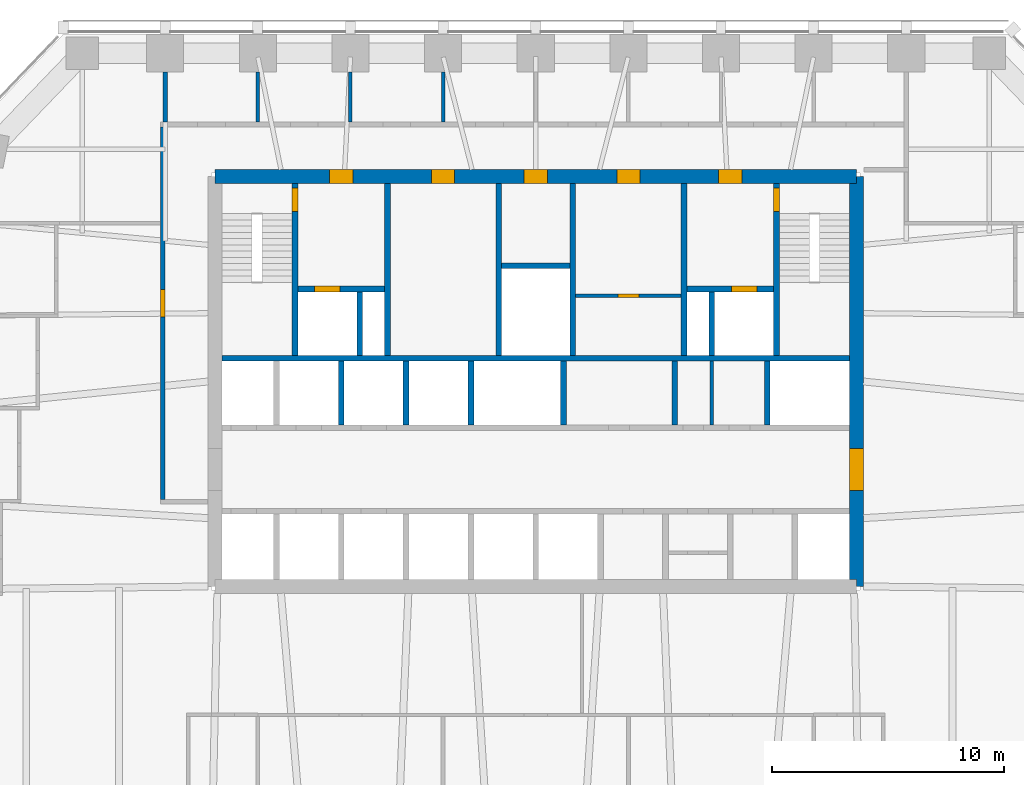
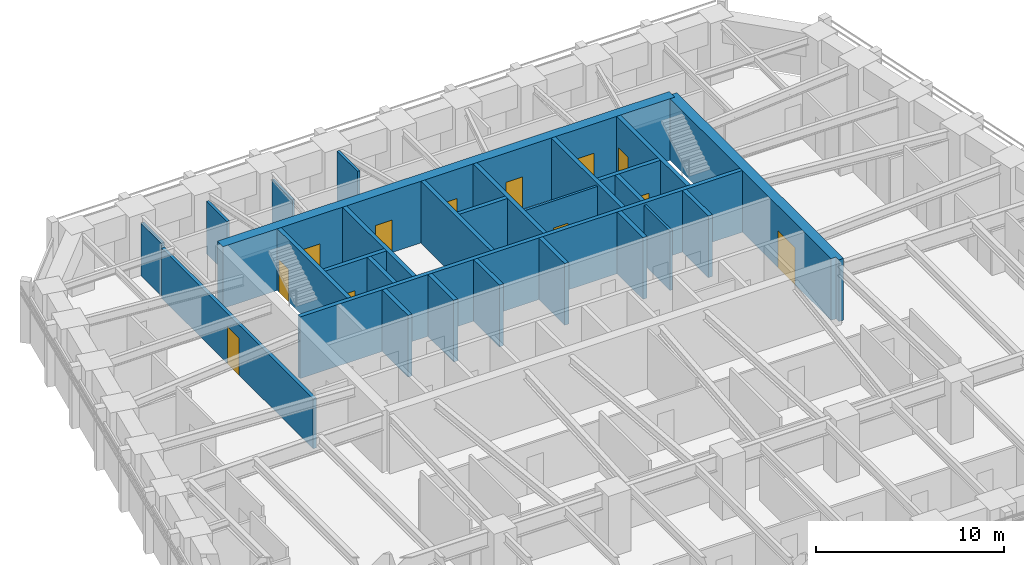
# One storey, part 8 of 11: 27 walls, 12 doors, 12 openings.
"""IFC4 building model written with IfcOpenShell, lengths in metres."""

from ifc_helpers import new_model, si_unit, direction, frame, frame_2d, origin, place, context, subcontext, project, spatial, polyline, rectangle, outline, extrude, material, layer, layer_set, type_object, element, fill, save


model = new_model("IFC4")

# Units and contexts
model_context = context("Model", 3, precision=1e-05, world=origin(), true_north=direction((0.0, 1.0)))
body_context = subcontext(model_context, "Body", "Model", "MODEL_VIEW")
ifc_project = project(units=[si_unit("LENGTHUNIT", "METRE"), si_unit("AREAUNIT", "SQUARE_METRE"), si_unit("VOLUMEUNIT", "CUBIC_METRE"), si_unit("PLANEANGLEUNIT", "RADIAN"), si_unit("MASSUNIT", "GRAM", prefix="KILO")], contexts=[model_context])

# Site, building, storey
site_placement = place(None, origin())
site = spatial("IfcSite", under=ifc_project, at=site_placement, CompositionType="ELEMENT")
building_placement = place(site_placement, origin())
building = spatial("IfcBuilding", under=site, at=building_placement, Name="Isbrekke Arena Tower", CompositionType="ELEMENT")
storey_placement = place(building_placement, frame((0.0, 0.0, 210.0)))
storey = spatial("IfcBuildingStorey", under=building, at=storey_placement, Name="L48", CompositionType="ELEMENT", Elevation=210.0)

# Wall, opening, door
ifc_material_1 = material(Name="Concrete B55 (C55/67)", Category="concrete")
ifc_layer_1 = layer(ifc_material_1, 0.60009765625)
ifc_layer_set_1 = layer_set([ifc_layer_1], Name="CW4 CORE WALL 600")
wall_type_1 = type_object("IfcWallType", Name="CW4 CORE WALL 600", PredefinedType="SHEAR", material=ifc_layer_set_1)
wall_1_placement = place(storey_placement, frame((13.85009765625, 6.14990234375, 0.0), z_axis=(0.0, 0.0, 1.0), x_axis=(0.0, 1.0, 0.0)))
wall_1 = element("IfcWall", 1, at=wall_1_placement, inside=storey, type_object=wall_type_1, Name="Core wall E L48", PredefinedType="SHEAR", context=body_context, shape_type="SweptSolid", body=[
    extrude(outline(polyline([(0.0, -0.300048828125), (17.7001953125, -0.300048828125), (17.7001953125, 0.0), (17.400146484375, 0.0), (17.400146484375, 0.300048828125), (0.300048828125, 0.300048828125), (0.300048828125, 0.0), (0.0, 0.0), (0.0, -0.300048828125)])), origin(), (0.0, 0.0, 1.0), 4.0),
])
opening_1_placement = place(wall_1_placement, frame((4.14990234375, 0.0, 0.0)))
opening_1 = element("IfcOpeningElement", 2, at=opening_1_placement, cuts=wall_1, Name="Opening D1", PredefinedType="OPENING", context=body_context, shape_type="SweptSolid", body=[
    extrude(rectangle(XDim=1.800048828125, YDim=2.39990234375, at=frame_2d((0.89990234375, 1.199951171875))), frame((0.0, 0.31494140625, 0.0), z_axis=(0.0, -1.0, 0.0), x_axis=(1.0, 0.0, 0.0)), (0.0, 0.0, 1.0), 0.6298828125),
])
ifc_material_2 = material(Name="Steel-framed glazed fire door", Category="steel")
door_type_1 = type_object("IfcDoorType", Name="D1 CORE LOBBY DOOR 1800 x 2400", OperationType="DOUBLE_DOOR_SINGLE_SWING", PredefinedType="DOOR", material=ifc_material_2)
door_1_placement = place(opening_1_placement, origin())
door_1 = element("IfcDoor", 3, at=door_1_placement, inside=storey, type_object=door_type_1, Name="D1 lift lobby door east L48", OperationType="DOUBLE_DOOR_SINGLE_SWING", OverallHeight=2.39990234375, OverallWidth=1.800048828125, PredefinedType="DOOR", context=body_context, shape_type="SweptSolid", body=[
    extrude(rectangle(XDim=1.800048828125, YDim=2.39990234375, at=frame_2d((0.89990234375, 1.199951171875))), frame((0.0, 0.2998046875, 0.0), z_axis=(0.0, -1.0, 0.0), x_axis=(1.0, 0.0, 0.0)), (0.0, 0.0, 1.0), 0.599609375),
])
fill(opening_1, door_1)

# Wall, openings, doors
wall_2_placement = place(storey_placement, frame((13.85009765625, 23.85009765625, 0.0), z_axis=(0.0, 0.0, 1.0), x_axis=(-1.0, 0.0, 0.0)))
wall_2 = element("IfcWall", 4, at=wall_2_placement, inside=storey, type_object=wall_type_1, Name="Core wall N L48", PredefinedType="SHEAR", context=body_context, shape_type="SweptSolid", body=[
    extrude(rectangle(XDim=27.7001953125, YDim=0.60009765625, at=frame_2d((13.85009765625, 0.0))), origin(), (0.0, 0.0, 1.0), 4.0),
])
opening_2_placement = place(wall_2_placement, frame((21.75, 0.0, 0.0)))
opening_2 = element("IfcOpeningElement", 5, at=opening_2_placement, cuts=wall_2, Name="Opening D3", PredefinedType="OPENING", context=body_context, shape_type="SweptSolid", body=[
    extrude(rectangle(XDim=1.0, YDim=2.10009765625, at=frame_2d((0.5, 1.050048828125))), frame((0.0, 0.31494140625, 0.0), z_axis=(0.0, -1.0, 0.0), x_axis=(1.0, 0.0, 0.0)), (0.0, 0.0, 1.0), 0.6298828125),
])
opening_3_placement = place(wall_2_placement, frame((4.949951171875, 0.0, 0.0)))
opening_3 = element("IfcOpeningElement", 6, at=opening_3_placement, cuts=wall_2, Name="Opening D3", PredefinedType="OPENING", context=body_context, shape_type="SweptSolid", body=[
    extrude(rectangle(XDim=1.0, YDim=2.10009765625, at=frame_2d((0.5, 1.050048828125))), frame((0.0, 0.31494140625, 0.0), z_axis=(0.0, -1.0, 0.0), x_axis=(1.0, 0.0, 0.0)), (0.0, 0.0, 1.0), 0.6298828125),
])
opening_4_placement = place(wall_2_placement, frame((17.35009765625, 0.0, 0.0)))
opening_4 = element("IfcOpeningElement", 7, at=opening_4_placement, cuts=wall_2, Name="Opening D4", PredefinedType="OPENING", context=body_context, shape_type="SweptSolid", body=[
    extrude(rectangle(XDim=1.0, YDim=2.10009765625, at=frame_2d((0.5, 1.050048828125))), frame((0.0, 0.31494140625, 0.0), z_axis=(0.0, -1.0, 0.0), x_axis=(1.0, 0.0, 0.0)), (0.0, 0.0, 1.0), 0.6298828125),
])
opening_5_placement = place(wall_2_placement, frame((13.35009765625, 0.0, 0.0)))
opening_5 = element("IfcOpeningElement", 8, at=opening_5_placement, cuts=wall_2, Name="Opening D4", PredefinedType="OPENING", context=body_context, shape_type="SweptSolid", body=[
    extrude(rectangle(XDim=1.0, YDim=2.10009765625, at=frame_2d((0.5, 1.050048828125))), frame((0.0, 0.31494140625, 0.0), z_axis=(0.0, -1.0, 0.0), x_axis=(1.0, 0.0, 0.0)), (0.0, 0.0, 1.0), 0.6298828125),
])
opening_6_placement = place(wall_2_placement, frame((9.35009765625, 0.0, 0.0)))
opening_6 = element("IfcOpeningElement", 9, at=opening_6_placement, cuts=wall_2, Name="Opening D4", PredefinedType="OPENING", context=body_context, shape_type="SweptSolid", body=[
    extrude(rectangle(XDim=1.0, YDim=2.10009765625, at=frame_2d((0.5, 1.050048828125))), frame((0.0, 0.31494140625, 0.0), z_axis=(0.0, -1.0, 0.0), x_axis=(1.0, 0.0, 0.0)), (0.0, 0.0, 1.0), 0.6298828125),
])
ifc_material_3 = material(Name="Steel fire door", Category="steel")
door_type_2 = type_object("IfcDoorType", Name="D3 FIRE LOBBY DOOR 1000 x 2100", OperationType="SINGLE_SWING_RIGHT", PredefinedType="DOOR", material=ifc_material_3)
door_2_placement = place(opening_2_placement, origin())
door_2 = element("IfcDoor", 10, at=door_2_placement, inside=storey, type_object=door_type_2, Name="D3 fire-fighting lobby door L48", OperationType="SINGLE_SWING_RIGHT", OverallHeight=2.10009765625, OverallWidth=1.0, PredefinedType="DOOR", context=body_context, shape_type="SweptSolid", body=[
    extrude(rectangle(XDim=1.0, YDim=2.10009765625, at=frame_2d((0.5, 1.050048828125))), frame((0.0, 0.2998046875, 0.0), z_axis=(0.0, -1.0, 0.0), x_axis=(1.0, 0.0, 0.0)), (0.0, 0.0, 1.0), 0.599609375),
])
fill(opening_2, door_2)
door_3_placement = place(opening_3_placement, origin())
door_3 = element("IfcDoor", 11, at=door_3_placement, inside=storey, type_object=door_type_2, Name="D3 fire-fighting lobby door L48", OperationType="SINGLE_SWING_RIGHT", OverallHeight=2.10009765625, OverallWidth=1.0, PredefinedType="DOOR", context=body_context, shape_type="SweptSolid", body=[
    extrude(rectangle(XDim=1.0, YDim=2.10009765625, at=frame_2d((0.5, 1.050048828125))), frame((0.0, 0.2998046875, 0.0), z_axis=(0.0, -1.0, 0.0), x_axis=(1.0, 0.0, 0.0)), (0.0, 0.0, 1.0), 0.599609375),
])
fill(opening_3, door_3)
ifc_material_4 = material(Name="Timber door", Category="wood")
door_type_3 = type_object("IfcDoorType", Name="D4 WC DOOR 1000 x 2100", OperationType="SINGLE_SWING_LEFT", PredefinedType="DOOR", material=ifc_material_4)
door_4_placement = place(opening_4_placement, origin())
door_4 = element("IfcDoor", 12, at=door_4_placement, inside=storey, type_object=door_type_3, Name="D4 wc female door L48", OperationType="SINGLE_SWING_LEFT", OverallHeight=2.10009765625, OverallWidth=1.0, PredefinedType="DOOR", context=body_context, shape_type="SweptSolid", body=[
    extrude(rectangle(XDim=1.0, YDim=2.10009765625, at=frame_2d((0.5, 1.050048828125))), frame((0.0, 0.2998046875, 0.0), z_axis=(0.0, -1.0, 0.0), x_axis=(1.0, 0.0, 0.0)), (0.0, 0.0, 1.0), 0.599609375),
])
fill(opening_4, door_4)
door_5_placement = place(opening_5_placement, origin())
door_5 = element("IfcDoor", 13, at=door_5_placement, inside=storey, type_object=door_type_3, Name="D4 accessible wc door L48", OperationType="SINGLE_SWING_LEFT", OverallHeight=2.10009765625, OverallWidth=1.0, PredefinedType="DOOR", context=body_context, shape_type="SweptSolid", body=[
    extrude(rectangle(XDim=1.0, YDim=2.10009765625, at=frame_2d((0.5, 1.050048828125))), frame((0.0, 0.2998046875, 0.0), z_axis=(0.0, -1.0, 0.0), x_axis=(1.0, 0.0, 0.0)), (0.0, 0.0, 1.0), 0.599609375),
])
fill(opening_5, door_5)
door_6_placement = place(opening_6_placement, origin())
door_6 = element("IfcDoor", 14, at=door_6_placement, inside=storey, type_object=door_type_3, Name="D4 wc male door L48", OperationType="SINGLE_SWING_LEFT", OverallHeight=2.10009765625, OverallWidth=1.0, PredefinedType="DOOR", context=body_context, shape_type="SweptSolid", body=[
    extrude(rectangle(XDim=1.0, YDim=2.10009765625, at=frame_2d((0.5, 1.050048828125))), frame((0.0, 0.2998046875, 0.0), z_axis=(0.0, -1.0, 0.0), x_axis=(1.0, 0.0, 0.0)), (0.0, 0.0, 1.0), 0.599609375),
])
fill(opening_6, door_6)

# Walls
ifc_material_5 = material(Name="Concrete B45 (C45/55)", Category="concrete")
ifc_layer_2 = layer(ifc_material_5, 0.25)
ifc_layer_set_2 = layer_set([ifc_layer_2], Name="CW6 SHAFT WALL 250")
wall_type_2 = type_object("IfcWallType", Name="CW6 SHAFT WALL 250", PredefinedType="SHEAR", material=ifc_layer_set_2)
wall_3_placement = place(storey_placement, frame((-13.550048828125, 16.0, 0.0), z_axis=(0.0, 0.0, 1.0), x_axis=(1.0, 0.0, 0.0)))
element("IfcWall", 15, at=wall_3_placement, inside=storey, type_object=wall_type_2, Name="Core wall NB L48", PredefinedType="SHEAR", context=body_context, shape_type="SweptSolid", body=[
    extrude(rectangle(XDim=27.10009765625, YDim=0.25, at=frame_2d((13.550048828125, 0.0))), origin(), (0.0, 0.0, 1.0), 4.0),
])
for number, where, z_axis, x_axis, name in (
    (16, (-8.39990234375, 13.125, 0.0), (0.0, 0.0, 1.0), (0.0, 1.0, 0.0), "Core wall SN02 L48"),
    (17, (-5.60009765625, 13.125, 0.0), (0.0, 0.0, 1.0), (0.0, 1.0, 0.0), "Core wall SN03 L48"),
    (18, (-2.800048828125, 13.125, 0.0), (0.0, 0.0, 1.0), (0.0, 1.0, 0.0), "Core wall SN04 L48"),
    (19, (1.199951171875, 13.125, 0.0), (0.0, 0.0, 1.0), (0.0, 1.0, 0.0), "Core wall SN05 L48"),
    (20, (6.0, 13.125, 0.0), (0.0, 0.0, 1.0), (0.0, 1.0, 0.0), "Core wall SN06 L48"),
    (21, (10.0, 13.125, 0.0), (0.0, 0.0, 1.0), (0.0, 1.0, 0.0), "Core wall SN07 L48"),
):
    element("IfcWall", number, at=place(storey_placement, frame(where, z_axis=z_axis, x_axis=x_axis)), inside=storey, type_object=wall_type_2, Name=name, PredefinedType="SHEAR", context=body_context, shape_type="SweptSolid", body=[
        extrude(rectangle(XDim=2.75, YDim=0.25, at=frame_2d((1.375, 0.0))), origin(), (0.0, 0.0, 1.0), 4.0),
    ])

# Wall, opening, door
wall_4_placement = place(storey_placement, frame((-10.39990234375, 16.125, 0.0), z_axis=(0.0, 0.0, 1.0), x_axis=(0.0, 1.0, 0.0)))
wall_4 = element("IfcWall", 22, at=wall_4_placement, inside=storey, type_object=wall_type_2, Name="Core wall NV01 L48", PredefinedType="SHEAR", context=body_context, shape_type="SweptSolid", body=[
    extrude(rectangle(XDim=7.425048828125, YDim=0.25, at=frame_2d((3.71240234375, 0.0))), origin(), (0.0, 0.0, 1.0), 4.0),
])
opening_7_placement = place(wall_4_placement, frame((6.22509765625, 0.0, 0.0)))
opening_7 = element("IfcOpeningElement", 23, at=opening_7_placement, cuts=wall_4, Name="Opening D2", PredefinedType="OPENING", context=body_context, shape_type="SweptSolid", body=[
    extrude(rectangle(XDim=1.0, YDim=2.10009765625, at=frame_2d((0.5, 1.050048828125))), frame((0.0, 0.139892578125, 0.0), z_axis=(0.0, -1.0, 0.0), x_axis=(1.0, 0.0, 0.0)), (0.0, 0.0, 1.0), 0.27978515625),
])
ifc_material_6 = material(Name="Steel fire door", Category="steel")
door_type_4 = type_object("IfcDoorType", Name="D2 STAIR DOOR 1000 x 2100", OperationType="SINGLE_SWING_LEFT", PredefinedType="DOOR", material=ifc_material_6)
door_7_placement = place(opening_7_placement, origin())
door_7 = element("IfcDoor", 24, at=door_7_placement, inside=storey, type_object=door_type_4, Name="D2 stair door ST1 L48", OperationType="SINGLE_SWING_LEFT", OverallHeight=2.10009765625, OverallWidth=1.0, PredefinedType="DOOR", context=body_context, shape_type="SweptSolid", body=[
    extrude(rectangle(XDim=1.0, YDim=2.10009765625, at=frame_2d((0.5, 1.050048828125))), frame((0.0, 0.124755859375, 0.0), z_axis=(0.0, -1.0, 0.0), x_axis=(1.0, 0.0, 0.0)), (0.0, 0.0, 1.0), 0.24951171875),
])
fill(opening_7, door_7)

# Walls
for number, where, z_axis, x_axis, name in (
    (25, (-6.39990234375, 16.125, 0.0), (0.0, 0.0, 1.0), (0.0, 1.0, 0.0), "Core wall NV02 L48"),
    (26, (-1.60009765625, 16.125, 0.0), (0.0, 0.0, 1.0), (0.0, 1.0, 0.0), "Core wall NV03 L48"),
    (27, (1.60009765625, 16.125, 0.0), (0.0, 0.0, 1.0), (0.0, 1.0, 0.0), "Core wall NV04 L48"),
    (28, (6.39990234375, 16.125, 0.0), (0.0, 0.0, 1.0), (0.0, 1.0, 0.0), "Core wall NV05 L48"),
):
    element("IfcWall", number, at=place(storey_placement, frame(where, z_axis=z_axis, x_axis=x_axis)), inside=storey, type_object=wall_type_2, Name=name, PredefinedType="SHEAR", context=body_context, shape_type="SweptSolid", body=[
        extrude(rectangle(XDim=7.425048828125, YDim=0.25, at=frame_2d((3.71240234375, 0.0))), origin(), (0.0, 0.0, 1.0), 4.0),
    ])

# Wall, opening, door
wall_5_placement = place(storey_placement, frame((10.39990234375, 16.125, 0.0), z_axis=(0.0, 0.0, 1.0), x_axis=(0.0, 1.0, 0.0)))
wall_5 = element("IfcWall", 29, at=wall_5_placement, inside=storey, type_object=wall_type_2, Name="Core wall NV06 L48", PredefinedType="SHEAR", context=body_context, shape_type="SweptSolid", body=[
    extrude(rectangle(XDim=7.425048828125, YDim=0.25, at=frame_2d((3.71240234375, 0.0))), origin(), (0.0, 0.0, 1.0), 4.0),
])
opening_8_placement = place(wall_5_placement, frame((6.22509765625, 0.0, 0.0)))
opening_8 = element("IfcOpeningElement", 30, at=opening_8_placement, cuts=wall_5, Name="Opening D2", PredefinedType="OPENING", context=body_context, shape_type="SweptSolid", body=[
    extrude(rectangle(XDim=1.0, YDim=2.10009765625, at=frame_2d((0.5, 1.050048828125))), frame((0.0, 0.139892578125, 0.0), z_axis=(0.0, -1.0, 0.0), x_axis=(1.0, 0.0, 0.0)), (0.0, 0.0, 1.0), 0.27978515625),
])
door_8_placement = place(opening_8_placement, origin())
door_8 = element("IfcDoor", 31, at=door_8_placement, inside=storey, type_object=door_type_4, Name="D2 stair door ST2 L48", OperationType="SINGLE_SWING_LEFT", OverallHeight=2.10009765625, OverallWidth=1.0, PredefinedType="DOOR", context=body_context, shape_type="SweptSolid", body=[
    extrude(rectangle(XDim=1.0, YDim=2.10009765625, at=frame_2d((0.5, 1.050048828125))), frame((0.0, 0.124755859375, 0.0), z_axis=(0.0, -1.0, 0.0), x_axis=(1.0, 0.0, 0.0)), (0.0, 0.0, 1.0), 0.24951171875),
])
fill(opening_8, door_8)

wall_6_placement = place(storey_placement, frame((-10.27490234375, 19.0, 0.0), z_axis=(0.0, 0.0, 1.0), x_axis=(1.0, 0.0, 0.0)))
wall_6 = element("IfcWall", 32, at=wall_6_placement, inside=storey, type_object=wall_type_2, Name="Core wall NFW L48", PredefinedType="SHEAR", context=body_context, shape_type="SweptSolid", body=[
    extrude(rectangle(XDim=3.75, YDim=0.25, at=frame_2d((1.875, 0.0))), origin(), (0.0, 0.0, 1.0), 4.0),
])
opening_9_placement = place(wall_6_placement, frame((0.72509765625, 0.0, 0.0)))
opening_9 = element("IfcOpeningElement", 33, at=opening_9_placement, cuts=wall_6, Name="Opening LD2", PredefinedType="OPENING", context=body_context, shape_type="SweptSolid", body=[
    extrude(rectangle(XDim=1.10009765625, YDim=2.10009765625, at=frame_2d((0.550048828125, 1.050048828125))), frame((0.0, 0.139892578125, 0.0), z_axis=(0.0, -1.0, 0.0), x_axis=(1.0, 0.0, 0.0)), (0.0, 0.0, 1.0), 0.27978515625),
])
ifc_material_7 = material(Name="Stainless steel lift landing door", Category="steel")
door_type_5 = type_object("IfcDoorType", Name="LD2 FIRE-FIGHTING LIFT LANDING DOOR 1100 x 2100", OperationType="SLIDING_TO_RIGHT", PredefinedType="DOOR", material=ifc_material_7)
door_9_placement = place(opening_9_placement, origin())
door_9 = element("IfcDoor", 34, at=door_9_placement, inside=storey, type_object=door_type_5, Name="LD2 lift landing door LF L48", OperationType="SLIDING_TO_RIGHT", OverallHeight=2.10009765625, OverallWidth=1.10009765625, PredefinedType="DOOR", context=body_context, shape_type="SweptSolid", body=[
    extrude(rectangle(XDim=1.10009765625, YDim=2.10009765625, at=frame_2d((0.550048828125, 1.050048828125))), frame((0.0, 0.124755859375, 0.0), z_axis=(0.0, -1.0, 0.0), x_axis=(1.0, 0.0, 0.0)), (0.0, 0.0, 1.0), 0.24951171875),
])
fill(opening_9, door_9)

wall_7_placement = place(storey_placement, frame((6.52490234375, 19.0, 0.0), z_axis=(0.0, 0.0, 1.0), x_axis=(1.0, 0.0, 0.0)))
wall_7 = element("IfcWall", 35, at=wall_7_placement, inside=storey, type_object=wall_type_2, Name="Core wall NFE L48", PredefinedType="SHEAR", context=body_context, shape_type="SweptSolid", body=[
    extrude(rectangle(XDim=3.75, YDim=0.25, at=frame_2d((1.875, 0.0))), origin(), (0.0, 0.0, 1.0), 4.0),
])
opening_10_placement = place(wall_7_placement, frame((1.925048828125, 0.0, 0.0)))
opening_10 = element("IfcOpeningElement", 36, at=opening_10_placement, cuts=wall_7, Name="Opening LD2", PredefinedType="OPENING", context=body_context, shape_type="SweptSolid", body=[
    extrude(rectangle(XDim=1.10009765625, YDim=2.10009765625, at=frame_2d((0.550048828125, 1.050048828125))), frame((0.0, 0.139892578125, 0.0), z_axis=(0.0, -1.0, 0.0), x_axis=(1.0, 0.0, 0.0)), (0.0, 0.0, 1.0), 0.27978515625),
])
door_10_placement = place(opening_10_placement, origin())
door_10 = element("IfcDoor", 37, at=door_10_placement, inside=storey, type_object=door_type_5, Name="LD2 lift landing door LF L48", OperationType="SLIDING_TO_RIGHT", OverallHeight=2.10009765625, OverallWidth=1.10009765625, PredefinedType="DOOR", context=body_context, shape_type="SweptSolid", body=[
    extrude(rectangle(XDim=1.10009765625, YDim=2.10009765625, at=frame_2d((0.550048828125, 1.050048828125))), frame((0.0, 0.124755859375, 0.0), z_axis=(0.0, -1.0, 0.0), x_axis=(1.0, 0.0, 0.0)), (0.0, 0.0, 1.0), 0.24951171875),
])
fill(opening_10, door_10)

# Walls
for number, where, z_axis, x_axis, name in (
    (38, (-7.60009765625, 16.125, 0.0), (0.0, 0.0, 1.0), (0.0, 1.0, 0.0), "Core wall NFS1 L48"),
    (39, (7.60009765625, 16.125, 0.0), (0.0, 0.0, 1.0), (0.0, 1.0, 0.0), "Core wall NFS2 L48"),
):
    element("IfcWall", number, at=place(storey_placement, frame(where, z_axis=z_axis, x_axis=x_axis)), inside=storey, type_object=wall_type_2, Name=name, PredefinedType="SHEAR", context=body_context, shape_type="SweptSolid", body=[
        extrude(rectangle(XDim=2.75, YDim=0.25, at=frame_2d((1.375, 0.0))), origin(), (0.0, 0.0, 1.0), 4.0),
    ])
wall_8_placement = place(storey_placement, frame((-1.47509765625, 20.0, 0.0), z_axis=(0.0, 0.0, 1.0), x_axis=(1.0, 0.0, 0.0)))
element("IfcWall", 40, at=wall_8_placement, inside=storey, type_object=wall_type_2, Name="Core wall NWC L48", PredefinedType="SHEAR", context=body_context, shape_type="SweptSolid", body=[
    extrude(rectangle(XDim=2.9501953125, YDim=0.25, at=frame_2d((1.47509765625, 0.0))), origin(), (0.0, 0.0, 1.0), 4.0),
])
ifc_material_8 = material(Name="Gypsum board partition on steel studs", Category="steel")
ifc_layer_3 = layer(ifc_material_8, 0.14990234375)
ifc_layer_set_3 = layer_set([ifc_layer_3], Name="IW1 PARTITION 150")
wall_type_3 = type_object("IfcWallType", Name="IW1 PARTITION 150", PredefinedType="PARTITIONING", material=ifc_layer_set_3)
for number, where, z_axis, x_axis, name in (
    (41, (-12.0, 26.199951171875, 0.0), (0.0, 0.0, 1.0), (0.0, 1.0, 0.0), "IW1 partition 150 L48"),
    (42, (-8.0, 26.199951171875, 0.0), (0.0, 0.0, 1.0), (0.0, 1.0, 0.0), "IW1 partition 150 L48"),
):
    element("IfcWall", number, at=place(storey_placement, frame(where, z_axis=z_axis, x_axis=x_axis)), inside=storey, type_object=wall_type_3, Name=name, PredefinedType="PARTITIONING", context=body_context, shape_type="SweptSolid", body=[
        extrude(rectangle(XDim=2.175048828125, YDim=0.14990234375, at=frame_2d((1.08740234375, 0.0))), origin(), (0.0, 0.0, 1.0), 3.39990234375),
    ])
wall_9_placement = place(storey_placement, frame((-4.0, 26.199951171875, 0.0), z_axis=(0.0, 0.0, 1.0), x_axis=(0.0, 1.0, 0.0)))
element("IfcWall", 43, at=wall_9_placement, inside=storey, type_object=wall_type_3, Name="IW1 partition 150 L48", PredefinedType="PARTITIONING", context=body_context, shape_type="SweptSolid", body=[
    extrude(rectangle(XDim=2.175048828125, YDim=0.14990234375, at=frame_2d((1.08740234375, 0.0))), origin(), (0.0, 0.0, 1.0), 3.85009765625),
])

# Wall, opening, door
ifc_material_9 = material(Name="Gypsum board fire-cell wall on steel studs, two layers each side", Category="steel")
ifc_layer_4 = layer(ifc_material_9, 0.199951171875)
ifc_layer_set_4 = layer_set([ifc_layer_4], Name="IW3 FIRE-CELL WALL 200")
wall_type_4 = type_object("IfcWallType", Name="IW3 FIRE-CELL WALL 200", PredefinedType="PARTITIONING", material=ifc_layer_set_4)
wall_10_placement = place(storey_placement, frame((-16.10009765625, 9.89990234375, 0.0), z_axis=(0.0, 0.0, 1.0), x_axis=(0.0, 1.0, 0.0)))
wall_10 = element("IfcWall", 44, at=wall_10_placement, inside=storey, type_object=wall_type_4, Name="IW3 fire-cell wall 200 L48", PredefinedType="PARTITIONING", context=body_context, shape_type="SweptSolid", body=[
    extrude(rectangle(XDim=16.10009765625, YDim=0.199951171875, at=frame_2d((8.050048828125, 0.0))), origin(), (0.0, 0.0, 1.0), 3.25),
])
opening_11_placement = place(wall_10_placement, frame((7.8798828125, 0.0, 0.0)))
opening_11 = element("IfcOpeningElement", 45, at=opening_11_placement, cuts=wall_10, Name="Opening D12", PredefinedType="OPENING", context=body_context, shape_type="SweptSolid", body=[
    extrude(rectangle(XDim=1.199951171875, YDim=2.39990234375, at=frame_2d((0.60009765625, 1.199951171875))), frame((0.0, 0.11474609375, 0.0), z_axis=(0.0, -1.0, 0.0), x_axis=(1.0, 0.0, 0.0)), (0.0, 0.0, 1.0), 0.229736328125),
])
ifc_material_10 = material(Name="Timber fire door with vision panel", Category="wood")
door_type_6 = type_object("IfcDoorType", Name="D12 SUITE ENTRANCE DOOR 1200 x 2400", OperationType="SINGLE_SWING_LEFT", PredefinedType="DOOR", material=ifc_material_10)
door_11_placement = place(opening_11_placement, origin())
door_11 = element("IfcDoor", 46, at=door_11_placement, inside=storey, type_object=door_type_6, Name="D12 suite entrance A door L48", OperationType="SINGLE_SWING_LEFT", OverallHeight=2.39990234375, OverallWidth=1.199951171875, PredefinedType="DOOR", context=body_context, shape_type="SweptSolid", body=[
    extrude(rectangle(XDim=1.199951171875, YDim=2.39990234375, at=frame_2d((0.60009765625, 1.199951171875))), frame((0.0, 0.099609375, 0.0), z_axis=(0.0, -1.0, 0.0), x_axis=(1.0, 0.0, 0.0)), (0.0, 0.0, 1.0), 0.199462890625),
])
fill(opening_11, door_11)

# Wall
wall_11_placement = place(storey_placement, frame((-16.0, 26.199951171875, 0.0), z_axis=(0.0, 0.0, 1.0), x_axis=(0.0, 1.0, 0.0)))
element("IfcWall", 47, at=wall_11_placement, inside=storey, type_object=wall_type_4, Name="IW3 fire-cell wall 200 L48", PredefinedType="PARTITIONING", context=body_context, shape_type="SweptSolid", body=[
    extrude(rectangle(XDim=2.175048828125, YDim=0.199951171875, at=frame_2d((1.08740234375, 0.0))), origin(), (0.0, 0.0, 1.0), 3.39990234375),
])

# Wall, opening, door
ifc_material_11 = material(Name="Gypsum board fire-rated partition on steel studs, two layers each side", Category="steel")
ifc_layer_5 = layer(ifc_material_11, 0.14990234375)
ifc_layer_set_5 = layer_set([ifc_layer_5], Name="IW5 FIRE-RATED PARTITION 150")
wall_type_5 = type_object("IfcWallType", Name="IW5 FIRE-RATED PARTITION 150", PredefinedType="PARTITIONING", material=ifc_layer_set_5)
wall_12_placement = place(storey_placement, frame((1.72509765625, 18.699951171875, 0.0), z_axis=(0.0, 0.0, 1.0), x_axis=(1.0, 0.0, 0.0)))
wall_12 = element("IfcWall", 48, at=wall_12_placement, inside=storey, type_object=wall_type_5, Name="IW5 fire-rated partition L48 cleaner's store M", PredefinedType="PARTITIONING", context=body_context, shape_type="SweptSolid", body=[
    extrude(rectangle(XDim=4.5498046875, YDim=0.14990234375, at=frame_2d((2.27490234375, 0.0))), origin(), (0.0, 0.0, 1.0), 3.85009765625),
])
opening_12_placement = place(wall_12_placement, frame((1.824951171875, 0.0, 0.0)))
opening_12 = element("IfcOpeningElement", 49, at=opening_12_placement, cuts=wall_12, Name="Opening D5", PredefinedType="OPENING", context=body_context, shape_type="SweptSolid", body=[
    extrude(rectangle(XDim=0.89990234375, YDim=2.10009765625, at=frame_2d((0.449951171875, 1.050048828125))), frame((0.0, 0.08984375, 0.0), z_axis=(0.0, -1.0, 0.0), x_axis=(1.0, 0.0, 0.0)), (0.0, 0.0, 1.0), 0.1796875),
])
ifc_material_12 = material(Name="Steel fire door", Category="steel")
door_type_7 = type_object("IfcDoorType", Name="D5 SERVICE DOOR 900 x 2100", OperationType="SINGLE_SWING_LEFT", PredefinedType="DOOR", material=ifc_material_12)
door_12_placement = place(opening_12_placement, origin())
door_12 = element("IfcDoor", 50, at=door_12_placement, inside=storey, type_object=door_type_7, Name="D5 cleaner's store door L48", OperationType="SINGLE_SWING_LEFT", OverallHeight=2.10009765625, OverallWidth=0.89990234375, PredefinedType="DOOR", context=body_context, shape_type="SweptSolid", body=[
    extrude(rectangle(XDim=0.89990234375, YDim=2.10009765625, at=frame_2d((0.449951171875, 1.050048828125))), frame((0.0, 0.07470703125, 0.0), z_axis=(0.0, -1.0, 0.0), x_axis=(1.0, 0.0, 0.0)), (0.0, 0.0, 1.0), 0.1494140625),
])
fill(opening_12, door_12)

# Wall
wall_13_placement = place(storey_placement, frame((7.60009765625, 13.125, 0.0), z_axis=(0.0, 0.0, 1.0), x_axis=(0.0, 1.0, 0.0)))
element("IfcWall", 51, at=wall_13_placement, inside=storey, type_object=wall_type_5, Name="IW5 fire-rated partition L48 core service rooms 1", PredefinedType="PARTITIONING", context=body_context, shape_type="SweptSolid", body=[
    extrude(rectangle(XDim=2.75, YDim=0.14990234375, at=frame_2d((1.375, 0.0))), origin(), (0.0, 0.0, 1.0), 3.85009765625),
])

save(model, "model.ifc")
